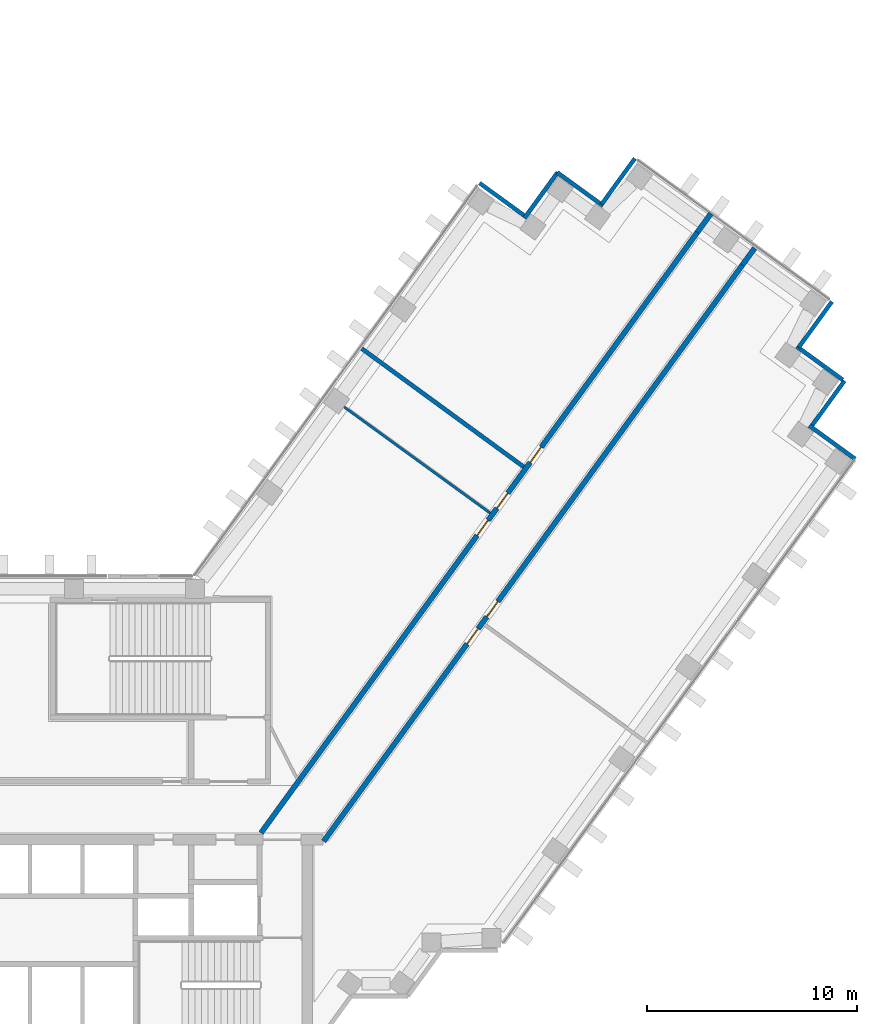
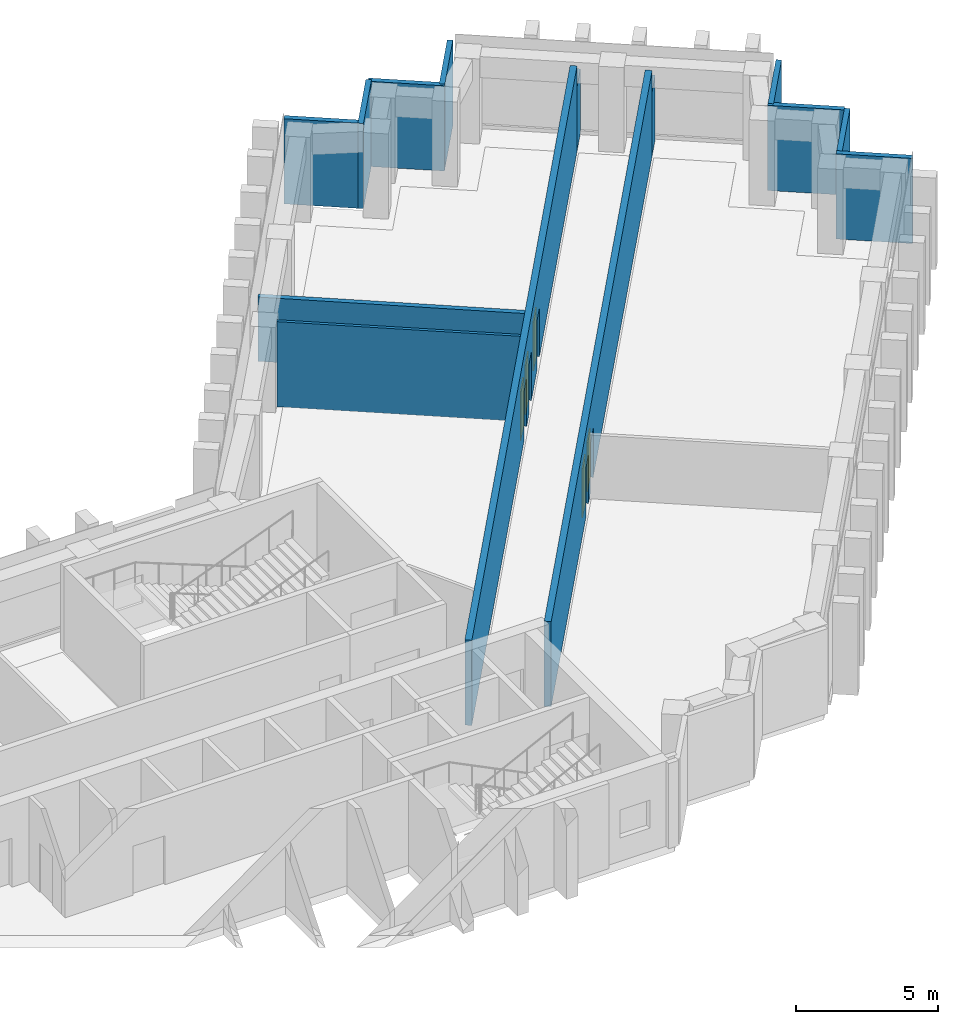
# One storey, part 8 of 11: 14 walls, 5 doors, 5 openings.
"""IFC4 building model written with IfcOpenShell, lengths in metres."""

from ifc_helpers import new_model, si_unit, direction, frame, frame_2d, origin, place, context, subcontext, project, spatial, rectangle, extrude, material, layer, layer_set, type_object, element, fill, save


model = new_model("IFC4")

# Units and contexts
model_context = context("Model", 3, precision=1e-05, world=origin(), true_north=direction((0.0, 1.0)))
body_context = subcontext(model_context, "Body", "Model", "MODEL_VIEW")
ifc_project = project(units=[si_unit("LENGTHUNIT", "METRE"), si_unit("AREAUNIT", "SQUARE_METRE"), si_unit("VOLUMEUNIT", "CUBIC_METRE"), si_unit("PLANEANGLEUNIT", "RADIAN"), si_unit("MASSUNIT", "GRAM", prefix="KILO")], contexts=[model_context])

# Site, building, storey
site_placement = place(None, origin())
site = spatial("IfcSite", under=ifc_project, at=site_placement, CompositionType="ELEMENT")
building_placement = place(site_placement, origin())
building = spatial("IfcBuilding", under=site, at=building_placement, Name="Quipu Civic Tower", CompositionType="ELEMENT")
storey_placement = place(building_placement, frame((0.0, 0.0, 117.0)))
storey = spatial("IfcBuildingStorey", under=building, at=storey_placement, Name="L27", CompositionType="ELEMENT", Elevation=117.0)

# Wall
ifc_material_1 = material(Name="Fired clay blockwork", Category="masonry")
ifc_layer_1 = layer(ifc_material_1, 0.199951171875)
ifc_layer_set_1 = layer_set([ifc_layer_1], Name="Fired clay blockwork")
wall_type_1 = type_object("IfcWallType", Name="Blockwork wall 200", PredefinedType="SOLIDWALL", material=ifc_layer_set_1)
wall_1_placement = place(storey_placement, frame((22.343505859375, 21.939697265625, 0.0), z_axis=(0.0, 0.0, 1.0), x_axis=(0.807610282865, -0.589716568371, 0.0)))
element("IfcWall", 1, at=wall_1_placement, inside=storey, type_object=wall_type_1, Name="Partition P07", PredefinedType="SOLIDWALL", context=body_context, shape_type="SweptSolid", body=[
    extrude(rectangle(XDim=9.549560546875, YDim=0.199951171875, at=frame_2d((4.77490234375, 0.0))), origin(), (0.0, 0.0, 1.0), 2.75),
])

# Wall, openings, doors
ifc_material_2 = material(Name="Concrete C50/60", Category="concrete")
ifc_layer_2 = layer(ifc_material_2, 0.25)
ifc_layer_set_2 = layer_set([ifc_layer_2], Name="Concrete C50/60")
wall_type_2 = type_object("IfcWallType", Name="Corridor wall 250 concrete", PredefinedType="SOLIDWALL", material=ifc_layer_set_2)
wall_2_placement = place(storey_placement, frame((40.46337890625, 25.911376953125, 0.0), z_axis=(0.0, 0.0, 1.0), x_axis=(-0.587781654618, -0.809019608226, 0.0)))
wall_2 = element("IfcWall", 2, at=wall_2_placement, inside=storey, type_object=wall_type_2, Name="Corridor wall C01", PredefinedType="SOLIDWALL", context=body_context, shape_type="SweptSolid", body=[
    extrude(rectangle(XDim=33.9111328125, YDim=0.25, at=frame_2d((16.95556640625, 0.0))), origin(), (0.0, 0.0, 1.0), 3.64990234375),
])
opening_1_placement = place(wall_2_placement, frame((21.39599609375, 0.0, 0.0)))
opening_1 = element("IfcOpeningElement", 3, at=opening_1_placement, cuts=wall_2, Name="Opening D004", PredefinedType="OPENING", context=body_context, shape_type="SweptSolid", body=[
    extrude(rectangle(XDim=0.89990234375, YDim=2.10009765625, at=frame_2d((0.449951171875, 1.050048828125))), frame((0.0, 0.135009765625, 0.0), z_axis=(0.0, -1.0, 0.0), x_axis=(1.0, 0.0, 0.0)), (0.0, 0.0, 1.0), 0.27001953125),
])
opening_2_placement = place(wall_2_placement, frame((19.795166015625, 0.0, 0.0)))
opening_2 = element("IfcOpeningElement", 4, at=opening_2_placement, cuts=wall_2, Name="Opening D005", PredefinedType="OPENING", context=body_context, shape_type="SweptSolid", body=[
    extrude(rectangle(XDim=0.89990234375, YDim=2.10009765625, at=frame_2d((0.449951171875, 1.050048828125))), frame((0.0, 0.135009765625, 0.0), z_axis=(0.0, -1.0, 0.0), x_axis=(1.0, 0.0, 0.0)), (0.0, 0.0, 1.0), 0.27001953125),
])
ifc_material_3 = material(Name="Fire rated timber door set with metal frame", Category="wood")
door_type = type_object("IfcDoorType", Name="Single door 900 x 2100 FD60", OperationType="NOTDEFINED", PredefinedType="DOOR", material=ifc_material_3)
door_1_placement = place(opening_1_placement, origin())
door_1 = element("IfcDoor", 5, at=door_1_placement, inside=storey, type_object=door_type, Name="Door D004", OperationType="SINGLE_SWING_LEFT", OverallHeight=2.10009765625, OverallWidth=0.89990234375, PredefinedType="DOOR", context=body_context, shape_type="SweptSolid", body=[
    extrude(rectangle(XDim=0.89990234375, YDim=2.10009765625, at=frame_2d((0.449951171875, 1.050048828125))), frame((0.0, 0.02490234375, 0.0), z_axis=(0.0, -1.0, 0.0), x_axis=(1.0, 0.0, 0.0)), (0.0, 0.0, 1.0), 0.050048828125),
])
fill(opening_1, door_1)
door_2_placement = place(opening_2_placement, origin())
door_2 = element("IfcDoor", 6, at=door_2_placement, inside=storey, type_object=door_type, Name="Door D005", OperationType="SINGLE_SWING_RIGHT", OverallHeight=2.10009765625, OverallWidth=0.89990234375, PredefinedType="DOOR", context=body_context, shape_type="SweptSolid", body=[
    extrude(rectangle(XDim=0.89990234375, YDim=2.10009765625, at=frame_2d((0.449951171875, 1.050048828125))), frame((0.0, 0.02490234375, 0.0), z_axis=(0.0, -1.0, 0.0), x_axis=(1.0, 0.0, 0.0)), (0.0, 0.0, 1.0), 0.050048828125),
])
fill(opening_2, door_2)

wall_3_placement = place(storey_placement, frame((17.544921875, -1.124755859375, 0.0), z_axis=(0.0, 0.0, 1.0), x_axis=(0.587788021768, 0.809014982226, 0.0)))
wall_3 = element("IfcWall", 7, at=wall_3_placement, inside=storey, type_object=wall_type_2, Name="Corridor wall C06", PredefinedType="SOLIDWALL", context=body_context, shape_type="SweptSolid", body=[
    extrude(rectangle(XDim=35.34423828125, YDim=0.25, at=frame_2d((17.672119140625, 0.0))), origin(), (0.0, 0.0, 1.0), 3.64990234375),
])
opening_3_placement = place(wall_3_placement, frame((17.5078125, 0.0, 0.0)))
opening_3 = element("IfcOpeningElement", 8, at=opening_3_placement, cuts=wall_3, Name="Opening D001", PredefinedType="OPENING", context=body_context, shape_type="SweptSolid", body=[
    extrude(rectangle(XDim=0.89990234375, YDim=2.10009765625, at=frame_2d((0.449951171875, 1.050048828125))), frame((0.0, 0.135009765625, 0.0), z_axis=(0.0, -1.0, 0.0), x_axis=(1.0, 0.0, 0.0)), (0.0, 0.0, 1.0), 0.27001953125),
])
opening_4_placement = place(wall_3_placement, frame((21.80810546875, 0.0, 0.0)))
opening_4 = element("IfcOpeningElement", 9, at=opening_4_placement, cuts=wall_3, Name="Opening D003", PredefinedType="OPENING", context=body_context, shape_type="SweptSolid", body=[
    extrude(rectangle(XDim=0.89990234375, YDim=2.10009765625, at=frame_2d((0.449951171875, 1.050048828125))), frame((0.0, 0.135009765625, 0.0), z_axis=(0.0, -1.0, 0.0), x_axis=(1.0, 0.0, 0.0)), (0.0, 0.0, 1.0), 0.27001953125),
])
opening_5_placement = place(wall_3_placement, frame((19.107666015625, 0.0, 0.0)))
opening_5 = element("IfcOpeningElement", 10, at=opening_5_placement, cuts=wall_3, Name="Opening D002", PredefinedType="OPENING", context=body_context, shape_type="SweptSolid", body=[
    extrude(rectangle(XDim=0.89990234375, YDim=2.10009765625, at=frame_2d((0.449951171875, 1.050048828125))), frame((0.0, 0.135009765625, 0.0), z_axis=(0.0, -1.0, 0.0), x_axis=(1.0, 0.0, 0.0)), (0.0, 0.0, 1.0), 0.27001953125),
])
door_3_placement = place(opening_3_placement, origin())
door_3 = element("IfcDoor", 11, at=door_3_placement, inside=storey, type_object=door_type, Name="Door D001", OperationType="SINGLE_SWING_RIGHT", OverallHeight=2.10009765625, OverallWidth=0.89990234375, PredefinedType="DOOR", context=body_context, shape_type="SweptSolid", body=[
    extrude(rectangle(XDim=0.89990234375, YDim=2.10009765625, at=frame_2d((0.449951171875, 1.050048828125))), frame((0.0, 0.02490234375, 0.0), z_axis=(0.0, -1.0, 0.0), x_axis=(1.0, 0.0, 0.0)), (0.0, 0.0, 1.0), 0.050048828125),
])
fill(opening_3, door_3)
door_4_placement = place(opening_4_placement, origin())
door_4 = element("IfcDoor", 12, at=door_4_placement, inside=storey, type_object=door_type, Name="Door D003", OperationType="SINGLE_SWING_LEFT", OverallHeight=2.10009765625, OverallWidth=0.89990234375, PredefinedType="DOOR", context=body_context, shape_type="SweptSolid", body=[
    extrude(rectangle(XDim=0.89990234375, YDim=2.10009765625, at=frame_2d((0.449951171875, 1.050048828125))), frame((0.0, 0.02490234375, 0.0), z_axis=(0.0, -1.0, 0.0), x_axis=(1.0, 0.0, 0.0)), (0.0, 0.0, 1.0), 0.050048828125),
])
fill(opening_4, door_4)
door_5_placement = place(opening_5_placement, origin())
door_5 = element("IfcDoor", 13, at=door_5_placement, inside=storey, type_object=door_type, Name="Door D002", OperationType="SINGLE_SWING_LEFT", OverallHeight=2.10009765625, OverallWidth=0.89990234375, PredefinedType="DOOR", context=body_context, shape_type="SweptSolid", body=[
    extrude(rectangle(XDim=0.89990234375, YDim=2.10009765625, at=frame_2d((0.449951171875, 1.050048828125))), frame((0.0, 0.02490234375, 0.0), z_axis=(0.0, -1.0, 0.0), x_axis=(1.0, 0.0, 0.0)), (0.0, 0.0, 1.0), 0.050048828125),
])
fill(opening_5, door_5)

# Walls
wall_4_placement = place(storey_placement, frame((40.46337890625, 25.911376953125, 0.0), z_axis=(0.0, 0.0, 1.0), x_axis=(0.587855200732, 0.808966169238, 0.0)))
element("IfcWall", 14, at=wall_4_placement, inside=storey, type_object=wall_type_2, Name="Corridor wall C01", PredefinedType="SOLIDWALL", context=body_context, shape_type="SweptSolid", body=[
    extrude(rectangle(XDim=1.00927734375, YDim=0.25, at=frame_2d((0.504638671875, 0.0))), origin(), (0.0, 0.0, 1.0), 2.75),
])
wall_5_placement = place(storey_placement, frame((38.31982421875, 27.46923828125, 0.0), z_axis=(0.0, 0.0, 1.0), x_axis=(0.587753086208, 0.809040363426, 0.0)))
element("IfcWall", 15, at=wall_5_placement, inside=storey, type_object=wall_type_2, Name="Corridor wall C06", PredefinedType="SOLIDWALL", context=body_context, shape_type="SweptSolid", body=[
    extrude(rectangle(XDim=1.10986328125, YDim=0.25, at=frame_2d((0.554931640625, 0.0))), origin(), (0.0, 0.0, 1.0), 2.75),
])
ifc_material_4 = material(Name="Gypsum plasterboard on light gauge framing")
ifc_layer_3 = layer(ifc_material_4, 0.1201171875)
ifc_layer_set_3 = layer_set([ifc_layer_3], Name="Gypsum plasterboard on light gauge framing")
wall_type_3 = type_object("IfcWallType", Name="Partition 120 plasterboard", PredefinedType="PARTITIONING", material=ifc_layer_set_3)
wall_6_placement = place(storey_placement, frame((28.457275390625, 14.10791015625, 0.0), z_axis=(0.0, 0.0, 1.0), x_axis=(-0.808998863664, 0.587810206266, 0.0)))
element("IfcWall", 16, at=wall_6_placement, inside=storey, type_object=wall_type_3, Name="Partition P01", PredefinedType="PARTITIONING", context=body_context, shape_type="SweptSolid", body=[
    extrude(rectangle(XDim=8.594970703125, YDim=0.1201171875, at=frame_2d((4.29736328125, 0.0))), origin(), (0.0, 0.0, 1.0), 3.64990234375),
])
ifc_material_5 = material(Name="Precast concrete C40/50", Category="concrete")
wall_type_4 = type_object("IfcWallType", Name="Precast cladding wall", PredefinedType="SOLIDWALL", material=ifc_material_5)
for number, where, z_axis, x_axis, name in (
    (17, (43.148681640625, 21.993896484375, 0.0), (0.0, 0.0, 1.0), (0.587822180636, 0.808990163075, 0.0), "Precast cladding wall L27 P25"),
    (18, (35.351318359375, 30.99658203125, 0.0), (0.0, 0.0, 1.0), (-0.587822180636, -0.808990163075, 0.0), "Precast cladding wall L27 P27"),
    (19, (33.837890625, 28.743896484375, 0.0), (0.0, 0.0, 1.0), (-0.809033161865, 0.587762999008, 0.0), "Precast cladding wall L27 P28"),
    (20, (31.67041015625, 30.33349609375, 0.0), (0.0, 0.0, 1.0), (-0.587762999008, -0.809033161865, 0.0), "Precast cladding wall L27 P29"),
    (21, (30.132568359375, 28.237060546875, 0.0), (0.0, 0.0, 1.0), (-0.808990163075, 0.587822180636, 0.0), "Precast cladding wall L27 P30"),
    (22, (45.84228515625, 16.6845703125, 0.0), (0.0, 0.0, 1.0), (-0.808958916286, 0.58786518162, 0.0), "Precast cladding wall L27 1"),
    (23, (43.74609375, 18.22265625, 0.0), (0.0, 0.0, 1.0), (0.587762999008, 0.809033161865, 0.0), "Precast cladding wall L27 2"),
    (24, (45.2451171875, 20.4560546875, 0.0), (0.0, 0.0, 1.0), (-0.809033161865, 0.587762999008, 0.0), "Precast cladding wall L27 3"),
):
    element("IfcWall", number, at=place(storey_placement, frame(where, z_axis=z_axis, x_axis=x_axis)), inside=storey, type_object=wall_type_4, Name=name, PredefinedType="SOLIDWALL", context=body_context, shape_type="SweptSolid", body=[
        extrude(rectangle(XDim=2.699951171875, YDim=0.199951171875, at=frame_2d((1.35009765625, 0.0))), origin(), (0.0, 0.0, 1.0), 3.64990234375),
    ])

save(model, "model.ifc")
